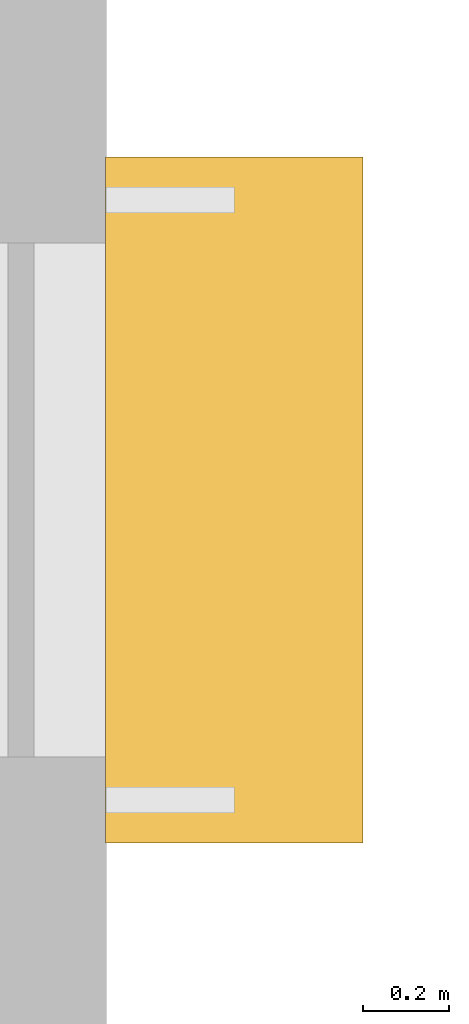
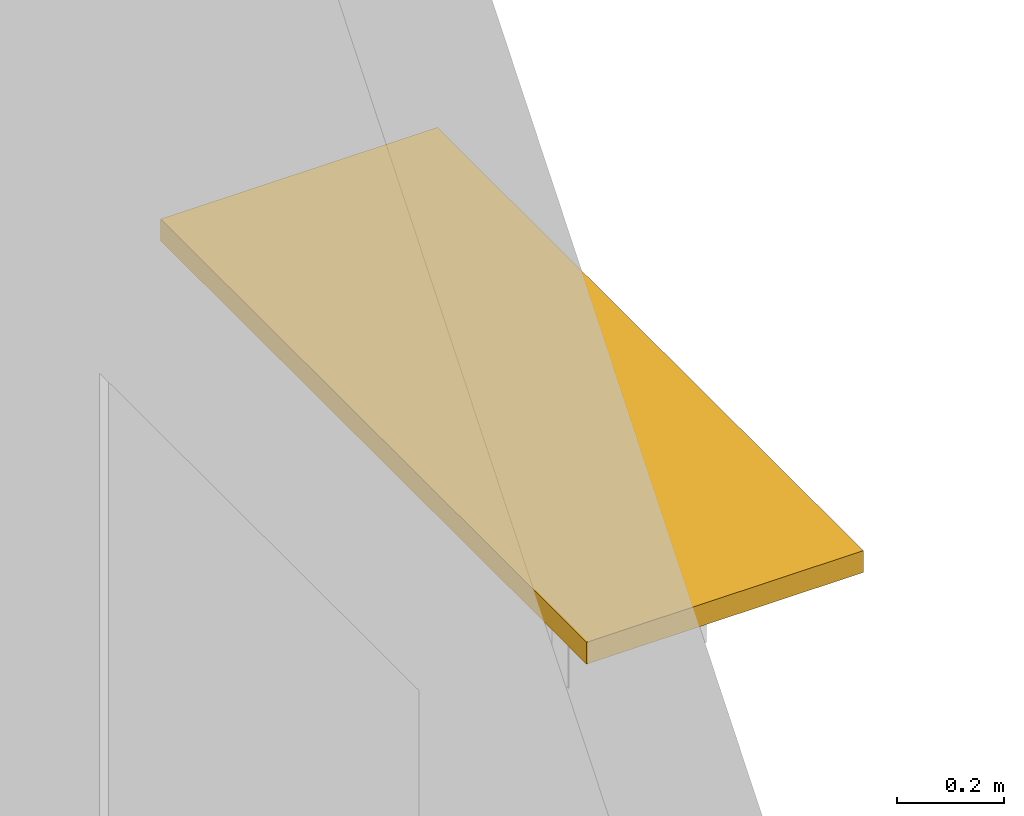
# One storey, part 76 of 114: 1 shading device.
"""IFC4 building model written with IfcOpenShell, lengths in metres."""

from ifc_helpers import new_model, si_unit, direction, frame, origin, origin_2d, place, context, subcontext, project, spatial, rectangle, extrude, material, material_profile, profile_set, type_object, element, save


model = new_model("IFC4")

# Units and contexts
model_context = context("Model", 3, precision=1e-05, world=origin(), true_north=direction((0.0, 1.0)))
body_context = subcontext(model_context, "Body", "Model", "MODEL_VIEW")
ifc_project = project(units=[si_unit("LENGTHUNIT", "METRE"), si_unit("AREAUNIT", "SQUARE_METRE"), si_unit("VOLUMEUNIT", "CUBIC_METRE"), si_unit("PLANEANGLEUNIT", "RADIAN"), si_unit("MASSUNIT", "GRAM", prefix="KILO")], contexts=[model_context])

# Site, building, storey
site_placement = place(None, origin())
site = spatial("IfcSite", under=ifc_project, at=site_placement, CompositionType="ELEMENT")
building_placement = place(site_placement, origin())
building = spatial("IfcBuilding", under=site, at=building_placement, Name="Almond Square Museum", CompositionType="ELEMENT")
storey_placement = place(building_placement, frame((0.0, 0.0, 10.5)))
storey = spatial("IfcBuildingStorey", under=building, at=storey_placement, Name="L02", CompositionType="ELEMENT", Elevation=10.5)

# Shading device
ifc_material = material(Name="Anodised aluminium", Category="aluminium")
ifc_material_profile = material_profile(ifc_material, rectangle(XDim=0.60009765625, YDim=0.050048828125, at=origin_2d()))
ifc_profile_set = profile_set([ifc_material_profile], Name="Anodised aluminium")
shading_device_type = type_object("IfcShadingDeviceType", Name="Sun-shade blade 600 x 50", PredefinedType="USERDEFINED", material=ifc_profile_set)
shading_device_placement = place(storey_placement, frame((23.222900390625, 28.425048828125, 7.02001953125), z_axis=(0.0, 1.0, 0.0), x_axis=(-1.0, 0.0, 0.0)))
element("IfcShadingDevice", 1, at=shading_device_placement, inside=storey, type_object=shading_device_type, Name="Sun-shade blade", ObjectType="LOUVRE", PredefinedType="USERDEFINED", context=body_context, shape_type="SweptSolid", body=[
    extrude(rectangle(XDim=0.60009765625, YDim=0.050048828125, at=origin_2d()), origin(), (0.0, 0.0, 1.0), 1.599853515625),
])

save(model, "model.ifc")
